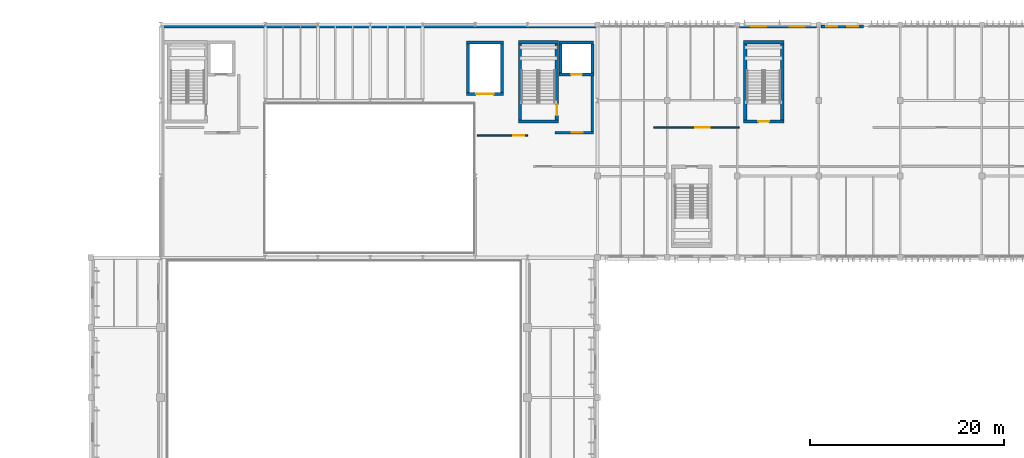
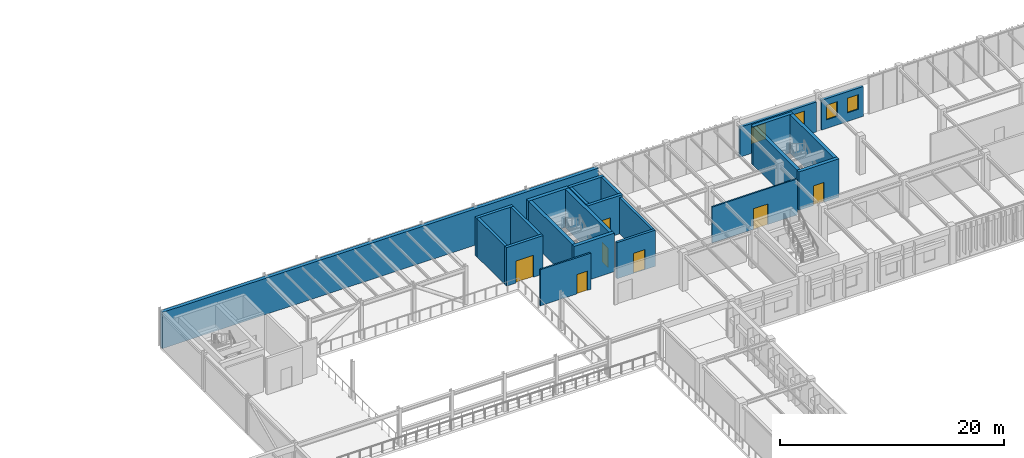
# One storey, part 45 of 104: 23 walls, 7 doors, 4 windows, 11 openings.
"""IFC4 building model written with IfcOpenShell, lengths in metres."""

from ifc_helpers import new_model, si_unit, direction, frame, frame_2d, origin, place, context, subcontext, project, spatial, rectangle, extrude, material, layer, layer_set, type_object, element, fill, save


model = new_model("IFC4")

# Units and contexts
model_context = context("Model", 3, precision=1e-05, world=origin(), true_north=direction((0.0, 1.0)))
body_context = subcontext(model_context, "Body", "Model", "MODEL_VIEW")
ifc_project = project(units=[si_unit("LENGTHUNIT", "METRE"), si_unit("AREAUNIT", "SQUARE_METRE"), si_unit("VOLUMEUNIT", "CUBIC_METRE"), si_unit("PLANEANGLEUNIT", "RADIAN"), si_unit("MASSUNIT", "GRAM", prefix="KILO")], contexts=[model_context])

# Site, building, storey
site_placement = place(None, origin())
site = spatial("IfcSite", under=ifc_project, at=site_placement, CompositionType="ELEMENT")
building_placement = place(site_placement, origin())
building = spatial("IfcBuilding", under=site, at=building_placement, Name="Tazoul Stagehouse", CompositionType="ELEMENT")
storey_placement = place(building_placement, frame((0.0, 0.0, 9.0)))
storey = spatial("IfcBuildingStorey", under=building, at=storey_placement, Name="L02", CompositionType="ELEMENT", Elevation=9.0)

# Walls
ifc_material_1 = material(Name="Ochre Fired Clay Facing Brick Masonry", Category="masonry")
ifc_layer_1 = layer(ifc_material_1, 0.360107421875, Name="Ochre Fired Clay Facing Brick Masonry")
ifc_layer_set_1 = layer_set([ifc_layer_1], Name="Ochre Fired Clay Facing Brick Masonry")
wall_type_1 = type_object("IfcWallType", Name="Acoustic Stagehouse Masonry-Concrete Cavity Wall 360", PredefinedType="SOLIDWALL", material=ifc_layer_set_1)
wall_1_placement = place(storey_placement, frame((57.60009765625, 111.6201171875, 0.0), z_axis=(0.0, 0.0, 1.0), x_axis=(1.0, 0.0, 0.0)))
element("IfcWall", 1, at=wall_1_placement, inside=storey, type_object=wall_type_1, Name="L02 Wall EW-360 (WALL-V2-N-L02-S1)", PredefinedType="SOLIDWALL", context=body_context, shape_type="SweptSolid", body=[
    extrude(rectangle(XDim=45.0, YDim=0.360107421875, at=frame_2d((22.5, 0.0))), origin(), (0.0, 0.0, 1.0), 3.9599609375),
])
ifc_material_2 = material(Name="Concrete C40/50", Category="concrete")
ifc_layer_2 = layer(ifc_material_2, 0.35009765625, Name="Concrete C40/50")
ifc_layer_set_2 = layer_set([ifc_layer_2], Name="Concrete C40/50")
wall_type_2 = type_object("IfcWallType", Name="Core Shear Wall 350", PredefinedType="SOLIDWALL", material=ifc_layer_set_2)
wall_2_placement = place(storey_placement, frame((98.60009765625, 101.824951171875, 0.0), z_axis=(0.0, 0.0, 1.0), x_axis=(-1.0, 0.0, 0.0)))
element("IfcWall", 2, at=wall_2_placement, inside=storey, type_object=wall_type_2, Name="L02 Core Wall CW-350 (SHF-ST-01-south)", PredefinedType="SOLIDWALL", context=body_context, shape_type="SweptSolid", body=[
    extrude(rectangle(XDim=4.150146484375, YDim=0.35009765625, at=frame_2d((2.0751953125, 0.0))), origin(), (0.0, 0.0, 1.0), 4.199951171875),
])
wall_3_placement = place(storey_placement, frame((94.625, 102.0, 0.0), z_axis=(0.0, 0.0, 1.0), x_axis=(0.0, 1.0, 0.0)))
element("IfcWall", 3, at=wall_3_placement, inside=storey, type_object=wall_type_2, Name="L02 Core Wall CW-350 (SHF-ST-01-west)", PredefinedType="SOLIDWALL", context=body_context, shape_type="SweptSolid", body=[
    extrude(rectangle(XDim=7.800048828125, YDim=0.35009765625, at=frame_2d((3.89990234375, 0.0))), origin(), (0.0, 0.0, 1.0), 4.199951171875),
])
wall_4_placement = place(storey_placement, frame((94.449951171875, 109.97509765625, 0.0), z_axis=(0.0, 0.0, 1.0), x_axis=(1.0, 0.0, 0.0)))
element("IfcWall", 4, at=wall_4_placement, inside=storey, type_object=wall_type_2, Name="L02 Core Wall CW-350 (SHF-ST-01-north)", PredefinedType="SOLIDWALL", context=body_context, shape_type="SweptSolid", body=[
    extrude(rectangle(XDim=4.150146484375, YDim=0.35009765625, at=frame_2d((2.0751953125, 0.0))), origin(), (0.0, 0.0, 1.0), 4.199951171875),
])

# Wall, opening, door
wall_5_placement = place(storey_placement, frame((98.425048828125, 109.800048828125, 0.0), z_axis=(0.0, 0.0, 1.0), x_axis=(0.0, -1.0, 0.0)))
wall_5 = element("IfcWall", 5, at=wall_5_placement, inside=storey, type_object=wall_type_2, Name="L02 Core Wall CW-350 (SHF-ST-01-east)", PredefinedType="SOLIDWALL", context=body_context, shape_type="SweptSolid", body=[
    extrude(rectangle(XDim=7.800048828125, YDim=0.35009765625, at=frame_2d((3.89990234375, 0.0))), origin(), (0.0, 0.0, 1.0), 4.199951171875),
])
opening_1_placement = place(wall_5_placement, frame((6.25, 0.0, 0.0)))
opening_1 = element("IfcOpeningElement", 6, at=opening_1_placement, cuts=wall_5, Name="Opening FD-01", PredefinedType="OPENING", context=body_context, shape_type="SweptSolid", body=[
    extrude(rectangle(XDim=1.10009765625, YDim=2.14990234375, at=frame_2d((0.550048828125, 1.074951171875))), frame((0.0, 0.195068359375, 0.0), z_axis=(0.0, -1.0, 0.0), x_axis=(1.0, 0.0, 0.0)), (0.0, 0.0, 1.0), 0.39013671875),
])
ifc_material_3 = material(Name="Powder-Coated Galvanised Acoustic Steel", Category="steel")
door_type_1 = type_object("IfcDoorType", Name="Core Escape Stair Fire Door 1100x2150", OperationType="NOTDEFINED", PredefinedType="DOOR", material=ifc_material_3)
door_1_placement = place(opening_1_placement, origin())
door_1 = element("IfcDoor", 7, at=door_1_placement, inside=storey, type_object=door_type_1, Name="L02 Escape Stair Fire Door FD-01 (ST-01)", OperationType="SINGLE_SWING_RIGHT", OverallHeight=2.14990234375, OverallWidth=1.10009765625, PredefinedType="DOOR", context=body_context, shape_type="SweptSolid", body=[
    extrude(rectangle(XDim=1.10009765625, YDim=2.14990234375, at=frame_2d((0.550048828125, 1.074951171875))), frame((0.0, 0.02490234375, 0.0), z_axis=(0.0, -1.0, 0.0), x_axis=(1.0, 0.0, 0.0)), (0.0, 0.0, 1.0), 0.050048828125),
])
fill(opening_1, door_1)

wall_6_placement = place(storey_placement, frame((121.800048828125, 101.824951171875, 0.0), z_axis=(0.0, 0.0, 1.0), x_axis=(-1.0, 0.0, 0.0)))
wall_6 = element("IfcWall", 8, at=wall_6_placement, inside=storey, type_object=wall_type_2, Name="L02 Core Wall CW-350 (SHF-ST-02-south)", PredefinedType="SOLIDWALL", context=body_context, shape_type="SweptSolid", body=[
    extrude(rectangle(XDim=4.150146484375, YDim=0.35009765625, at=frame_2d((2.0751953125, 0.0))), origin(), (0.0, 0.0, 1.0), 4.199951171875),
])
opening_2_placement = place(wall_6_placement, frame((1.52490234375, 0.0, 0.0)))
opening_2 = element("IfcOpeningElement", 9, at=opening_2_placement, cuts=wall_6, Name="Opening FD-01", PredefinedType="OPENING", context=body_context, shape_type="SweptSolid", body=[
    extrude(rectangle(XDim=1.10009765625, YDim=2.14990234375, at=frame_2d((0.550048828125, 1.074951171875))), frame((0.0, 0.195068359375, 0.0), z_axis=(0.0, -1.0, 0.0), x_axis=(1.0, 0.0, 0.0)), (0.0, 0.0, 1.0), 0.39013671875),
])
door_2_placement = place(opening_2_placement, origin())
door_2 = element("IfcDoor", 10, at=door_2_placement, inside=storey, type_object=door_type_1, Name="L02 Escape Stair Fire Door FD-01 (ST-02)", OperationType="SINGLE_SWING_LEFT", OverallHeight=2.14990234375, OverallWidth=1.10009765625, PredefinedType="DOOR", context=body_context, shape_type="SweptSolid", body=[
    extrude(rectangle(XDim=1.10009765625, YDim=2.14990234375, at=frame_2d((0.550048828125, 1.074951171875))), frame((0.0, 0.02490234375, 0.0), z_axis=(0.0, -1.0, 0.0), x_axis=(1.0, 0.0, 0.0)), (0.0, 0.0, 1.0), 0.050048828125),
])
fill(opening_2, door_2)

# Walls
wall_7_placement = place(storey_placement, frame((117.824951171875, 102.0, 0.0), z_axis=(0.0, 0.0, 1.0), x_axis=(0.0, 1.0, 0.0)))
element("IfcWall", 11, at=wall_7_placement, inside=storey, type_object=wall_type_2, Name="L02 Core Wall CW-350 (SHF-ST-02-west)", PredefinedType="SOLIDWALL", context=body_context, shape_type="SweptSolid", body=[
    extrude(rectangle(XDim=7.800048828125, YDim=0.35009765625, at=frame_2d((3.89990234375, 0.0))), origin(), (0.0, 0.0, 1.0), 4.199951171875),
])
wall_8_placement = place(storey_placement, frame((117.64990234375, 109.97509765625, 0.0), z_axis=(0.0, 0.0, 1.0), x_axis=(1.0, 0.0, 0.0)))
element("IfcWall", 12, at=wall_8_placement, inside=storey, type_object=wall_type_2, Name="L02 Core Wall CW-350 (SHF-ST-02-north)", PredefinedType="SOLIDWALL", context=body_context, shape_type="SweptSolid", body=[
    extrude(rectangle(XDim=4.150146484375, YDim=0.35009765625, at=frame_2d((2.0751953125, 0.0))), origin(), (0.0, 0.0, 1.0), 4.199951171875),
])
wall_9_placement = place(storey_placement, frame((121.625, 109.800048828125, 0.0), z_axis=(0.0, 0.0, 1.0), x_axis=(0.0, -1.0, 0.0)))
element("IfcWall", 13, at=wall_9_placement, inside=storey, type_object=wall_type_2, Name="L02 Core Wall CW-350 (SHF-ST-02-east)", PredefinedType="SOLIDWALL", context=body_context, shape_type="SweptSolid", body=[
    extrude(rectangle(XDim=7.800048828125, YDim=0.35009765625, at=frame_2d((3.89990234375, 0.0))), origin(), (0.0, 0.0, 1.0), 4.199951171875),
])

# Wall, opening, door
ifc_material_4 = material(Name="Gypsum Acoustic Partition", Category="gypsum")
ifc_layer_3 = layer(ifc_material_4, 0.169921875, Name="Gypsum Acoustic Partition")
ifc_layer_set_3 = layer_set([ifc_layer_3], Name="Gypsum Acoustic Partition")
wall_type_3 = type_object("IfcWallType", Name="Corridor Fire-Rated Partition 170", PredefinedType="PARTITIONING", material=ifc_layer_set_3)
wall_10_placement = place(storey_placement, frame((90.199951171875, 100.39990234375, 0.0), z_axis=(0.0, 0.0, 1.0), x_axis=(1.0, 0.0, 0.0)))
wall_10 = element("IfcWall", 14, at=wall_10_placement, inside=storey, type_object=wall_type_3, Name="L02 Partition PW-170 (PW-RM-L02-123-N)", PredefinedType="PARTITIONING", context=body_context, shape_type="SweptSolid", body=[
    extrude(rectangle(XDim=5.199951171875, YDim=0.169921875, at=frame_2d((2.60009765625, 0.0))), origin(), (0.0, 0.0, 1.0), 3.949951171875),
])
opening_3_placement = place(wall_10_placement, frame((3.75, 0.0, 0.0)))
opening_3 = element("IfcOpeningElement", 15, at=opening_3_placement, cuts=wall_10, Name="Opening ID-09", PredefinedType="OPENING", context=body_context, shape_type="SweptSolid", body=[
    extrude(rectangle(XDim=1.10009765625, YDim=2.10009765625, at=frame_2d((0.550048828125, 1.050048828125))), frame((0.0, 0.10498046875, 0.0), z_axis=(0.0, -1.0, 0.0), x_axis=(1.0, 0.0, 0.0)), (0.0, 0.0, 1.0), 0.2099609375),
])
ifc_material_5 = material(Name="Acoustic Cedar Timber", Category="wood")
door_type_2 = type_object("IfcDoorType", Name="Store Room Steel Door 1100x2100", OperationType="NOTDEFINED", PredefinedType="DOOR", material=ifc_material_5)
door_3_placement = place(opening_3_placement, origin())
door_3 = element("IfcDoor", 16, at=door_3_placement, inside=storey, type_object=door_type_2, Name="L02 Stage Right Counterweight and Rope Gallery Door", OperationType="SINGLE_SWING_LEFT", OverallHeight=2.10009765625, OverallWidth=1.10009765625, PredefinedType="DOOR", context=body_context, shape_type="SweptSolid", body=[
    extrude(rectangle(XDim=1.10009765625, YDim=2.10009765625, at=frame_2d((0.550048828125, 1.050048828125))), frame((0.0, 0.02490234375, 0.0), z_axis=(0.0, -1.0, 0.0), x_axis=(1.0, 0.0, 0.0)), (0.0, 0.0, 1.0), 0.050048828125),
])
fill(opening_3, door_3)

ifc_layer_4 = layer(ifc_material_4, 0.14990234375, Name="Gypsum Acoustic Partition")
ifc_layer_set_4 = layer_set([ifc_layer_4], Name="Gypsum Acoustic Partition")
wall_type_4 = type_object("IfcWallType", Name="Dressing Suite Acoustic Partition 150", PredefinedType="PARTITIONING", material=ifc_layer_set_4)
wall_11_placement = place(storey_placement, frame((117.199951171875, 101.199951171875, 0.0), z_axis=(0.0, 0.0, 1.0), x_axis=(-1.0, 0.0, 0.0)))
wall_11 = element("IfcWall", 17, at=wall_11_placement, inside=storey, type_object=wall_type_4, Name="L02 Partition PW-150 (PW-RM-L02-063-S)", PredefinedType="PARTITIONING", context=body_context, shape_type="SweptSolid", body=[
    extrude(rectangle(XDim=8.800048828125, YDim=0.14990234375, at=frame_2d((4.39990234375, 0.0))), origin(), (0.0, 0.0, 1.0), 3.929931640625),
])
opening_4_placement = place(wall_11_placement, frame((3.038818359375, 0.0, 0.0)))
opening_4 = element("IfcOpeningElement", 18, at=opening_4_placement, cuts=wall_11, Name="Opening ID-20", PredefinedType="OPENING", context=body_context, shape_type="SweptSolid", body=[
    extrude(rectangle(XDim=1.5, YDim=2.25, at=frame_2d((0.75, 1.125))), frame((0.0, 0.094970703125, 0.0), z_axis=(0.0, -1.0, 0.0), x_axis=(1.0, 0.0, 0.0)), (0.0, 0.0, 1.0), 0.18994140625),
])
door_type_3 = type_object("IfcDoorType", Name="Wardrobe Workshop Double Door 1500x2250", OperationType="DOUBLE_DOOR_SINGLE_SWING", PredefinedType="DOOR", material=ifc_material_5)
door_4_placement = place(opening_4_placement, origin())
door_4 = element("IfcDoor", 19, at=door_4_placement, inside=storey, type_object=door_type_3, Name="L02 Wig Millinery and Prosthetics Studio Door", OperationType="DOUBLE_DOOR_SINGLE_SWING", OverallHeight=2.25, OverallWidth=1.5, PredefinedType="DOOR", context=body_context, shape_type="SweptSolid", body=[
    extrude(rectangle(XDim=1.5, YDim=2.25, at=frame_2d((0.75, 1.125))), frame((0.0, 0.02490234375, 0.0), z_axis=(0.0, -1.0, 0.0), x_axis=(1.0, 0.0, 0.0)), (0.0, 0.0, 1.0), 0.050048828125),
])
fill(opening_4, door_4)

ifc_layer_5 = layer(ifc_material_2, 0.260009765625, Name="Concrete C40/50")
ifc_layer_set_5 = layer_set([ifc_layer_5], Name="Concrete C40/50")
wall_type_5 = type_object("IfcWallType", Name="Firefighting Lobby Wall 260", PredefinedType="SOLIDWALL", material=ifc_layer_set_5)
wall_12_placement = place(storey_placement, frame((102.2099609375, 100.669921875, 0.0), z_axis=(0.0, 0.0, 1.0), x_axis=(-1.0, 0.0, 0.0)))
wall_12 = element("IfcWall", 20, at=wall_12_placement, inside=storey, type_object=wall_type_5, Name="L02 Firefighting Lobby Wall CW-260 (C1-S)", PredefinedType="SOLIDWALL", context=body_context, shape_type="SweptSolid", body=[
    extrude(rectangle(XDim=3.9599609375, YDim=0.260009765625, at=frame_2d((1.97998046875, 0.0))), origin(), (0.0, 0.0, 1.0), 3.949951171875),
])
opening_5_placement = place(wall_12_placement, frame((1.10009765625, 0.0, 0.0)))
opening_5 = element("IfcOpeningElement", 21, at=opening_5_placement, cuts=wall_12, Name="Opening FD-02", PredefinedType="OPENING", context=body_context, shape_type="SweptSolid", body=[
    extrude(rectangle(XDim=1.14990234375, YDim=2.199951171875, at=frame_2d((0.574951171875, 1.10009765625))), frame((0.0, 0.14990234375, 0.0), z_axis=(0.0, -1.0, 0.0), x_axis=(1.0, 0.0, 0.0)), (0.0, 0.0, 1.0), 0.300048828125),
])
door_type_4 = type_object("IfcDoorType", Name="Firefighting Lobby Fire Door 1150x2200", OperationType="NOTDEFINED", PredefinedType="DOOR", material=ifc_material_3)
door_5_placement = place(opening_5_placement, origin())
door_5 = element("IfcDoor", 22, at=door_5_placement, inside=storey, type_object=door_type_4, Name="L02 Firefighting Lobby Door FD-02 (C1)", OperationType="SINGLE_SWING_LEFT", OverallHeight=2.199951171875, OverallWidth=1.14990234375, PredefinedType="DOOR", context=body_context, shape_type="SweptSolid", body=[
    extrude(rectangle(XDim=1.14990234375, YDim=2.199951171875, at=frame_2d((0.574951171875, 1.10009765625))), frame((0.0, 0.02490234375, 0.0), z_axis=(0.0, -1.0, 0.0), x_axis=(1.0, 0.0, 0.0)), (0.0, 0.0, 1.0), 0.050048828125),
])
fill(opening_5, door_5)

# Wall
wall_13_placement = place(storey_placement, frame((102.080078125, 106.64990234375, 0.0), z_axis=(0.0, 0.0, 1.0), x_axis=(0.0, -1.0, 0.0)))
element("IfcWall", 23, at=wall_13_placement, inside=storey, type_object=wall_type_5, Name="L02 Firefighting Lobby Wall CW-260 (C1-E)", PredefinedType="SOLIDWALL", context=body_context, shape_type="SweptSolid", body=[
    extrude(rectangle(XDim=5.849853515625, YDim=0.260009765625, at=frame_2d((2.9248046875, 0.0))), origin(), (0.0, 0.0, 1.0), 3.949951171875),
])

# Wall, openings, windows
ifc_material_6 = material(Name="Precast concrete C40/50", Category="concrete")
ifc_layer_6 = layer(ifc_material_6, 0.280029296875, Name="Precast concrete C40/50")
ifc_layer_set_6 = layer_set([ifc_layer_6], Name="Precast concrete C40/50")
wall_type_6 = type_object("IfcWallType", Name="Insulated Precast Acoustic Cladding Wall 280", PredefinedType="SOLIDWALL", material=ifc_layer_set_6)
wall_14_placement = place(storey_placement, frame((117.2548828125, 111.6201171875, 0.0), z_axis=(0.0, 0.0, 1.0), x_axis=(1.0, 0.0, 0.0)))
wall_14 = element("IfcWall", 24, at=wall_14_placement, inside=storey, type_object=wall_type_6, Name="L02 Wall EW-280 (WALL-V3-N2-L02-S1)", PredefinedType="SOLIDWALL", context=body_context, shape_type="SweptSolid", body=[
    extrude(rectangle(XDim=7.89013671875, YDim=0.280029296875, at=frame_2d((3.945068359375, 0.0))), origin(), (0.0, 0.0, 1.0), 3.262939453125),
])
opening_6_placement = place(wall_14_placement, frame((1.20751953125, 0.0, 0.949951171875)))
opening_6 = element("IfcOpeningElement", 25, at=opening_6_placement, cuts=wall_14, Name="Opening WN-54", PredefinedType="OPENING", context=body_context, shape_type="SweptSolid", body=[
    extrude(rectangle(XDim=1.530029296875, YDim=1.75, at=frame_2d((0.76513671875, 0.875))), frame((0.0, 0.159912109375, 0.0), z_axis=(0.0, -1.0, 0.0), x_axis=(1.0, 0.0, 0.0)), (0.0, 0.0, 1.0), 0.320068359375),
])
opening_7_placement = place(wall_14_placement, frame((5.152587890625, 0.0, 0.949951171875)))
opening_7 = element("IfcOpeningElement", 26, at=opening_7_placement, cuts=wall_14, Name="Opening WN-54", PredefinedType="OPENING", context=body_context, shape_type="SweptSolid", body=[
    extrude(rectangle(XDim=1.530029296875, YDim=1.75, at=frame_2d((0.76513671875, 0.875))), frame((0.0, 0.159912109375, 0.0), z_axis=(0.0, -1.0, 0.0), x_axis=(1.0, 0.0, 0.0)), (0.0, 0.0, 1.0), 0.320068359375),
])
ifc_material_7 = material(Name="Double Low-E Acoustic Laminated Glass", Category="glass")
window_type_1 = type_object("IfcWindowType", Name="Architectural Acoustic Facade Window 1530x1750", PartitioningType="SINGLE_PANEL", PredefinedType="WINDOW", material=ifc_material_7)
window_1_placement = place(opening_6_placement, origin())
window_1 = element("IfcWindow", 27, at=window_1_placement, inside=storey, type_object=window_type_1, Name="L02 Window WN-54 (WALL-V3-N2-L02-S1-W1)", OverallHeight=1.75, OverallWidth=1.530029296875, PartitioningType="SINGLE_PANEL", PredefinedType="WINDOW", context=body_context, shape_type="SweptSolid", body=[
    extrude(rectangle(XDim=1.530029296875, YDim=1.75, at=frame_2d((0.76513671875, 0.875))), frame((0.0, 0.030029296875, 0.0), z_axis=(0.0, -1.0, 0.0), x_axis=(1.0, 0.0, 0.0)), (0.0, 0.0, 1.0), 0.06005859375),
])
fill(opening_6, window_1)
window_2_placement = place(opening_7_placement, origin())
window_2 = element("IfcWindow", 28, at=window_2_placement, inside=storey, type_object=window_type_1, Name="L02 Window WN-54 (WALL-V3-N2-L02-S1-W2)", OverallHeight=1.75, OverallWidth=1.530029296875, PartitioningType="SINGLE_PANEL", PredefinedType="WINDOW", context=body_context, shape_type="SweptSolid", body=[
    extrude(rectangle(XDim=1.530029296875, YDim=1.75, at=frame_2d((0.76513671875, 0.875))), frame((0.0, 0.030029296875, 0.0), z_axis=(0.0, -1.0, 0.0), x_axis=(1.0, 0.0, 0.0)), (0.0, 0.0, 1.0), 0.06005859375),
])
fill(opening_7, window_2)

wall_15_placement = place(storey_placement, frame((125.655029296875, 111.6201171875, 0.0), z_axis=(0.0, 0.0, 1.0), x_axis=(1.0, 0.0, 0.0)))
wall_15 = element("IfcWall", 29, at=wall_15_placement, inside=storey, type_object=wall_type_6, Name="L02 Wall EW-280 (WALL-V3-N2-L02-S2)", PredefinedType="SOLIDWALL", context=body_context, shape_type="SweptSolid", body=[
    extrude(rectangle(XDim=4.344970703125, YDim=0.280029296875, at=frame_2d((2.17236328125, 0.0))), origin(), (0.0, 0.0, 1.0), 3.262939453125),
])
opening_8_placement = place(wall_15_placement, frame((0.53125, 0.0, 0.949951171875)))
opening_8 = element("IfcOpeningElement", 30, at=opening_8_placement, cuts=wall_15, Name="Opening WN-40", PredefinedType="OPENING", context=body_context, shape_type="SweptSolid", body=[
    extrude(rectangle(XDim=1.110107421875, YDim=1.60009765625, at=frame_2d((0.55517578125, 0.800048828125))), frame((0.0, 0.159912109375, 0.0), z_axis=(0.0, -1.0, 0.0), x_axis=(1.0, 0.0, 0.0)), (0.0, 0.0, 1.0), 0.320068359375),
])
opening_9_placement = place(wall_15_placement, frame((2.70361328125, 0.0, 0.949951171875)))
opening_9 = element("IfcOpeningElement", 31, at=opening_9_placement, cuts=wall_15, Name="Opening WN-40", PredefinedType="OPENING", context=body_context, shape_type="SweptSolid", body=[
    extrude(rectangle(XDim=1.110107421875, YDim=1.60009765625, at=frame_2d((0.55517578125, 0.800048828125))), frame((0.0, 0.159912109375, 0.0), z_axis=(0.0, -1.0, 0.0), x_axis=(1.0, 0.0, 0.0)), (0.0, 0.0, 1.0), 0.320068359375),
])
window_type_2 = type_object("IfcWindowType", Name="Architectural Acoustic Facade Window 1110x1600", PartitioningType="SINGLE_PANEL", PredefinedType="WINDOW", material=ifc_material_7)
window_3_placement = place(opening_8_placement, origin())
window_3 = element("IfcWindow", 32, at=window_3_placement, inside=storey, type_object=window_type_2, Name="L02 Window WN-40 (WALL-V3-N2-L02-S2-W1)", OverallHeight=1.60009765625, OverallWidth=1.110107421875, PartitioningType="SINGLE_PANEL", PredefinedType="WINDOW", context=body_context, shape_type="SweptSolid", body=[
    extrude(rectangle(XDim=1.110107421875, YDim=1.60009765625, at=frame_2d((0.55517578125, 0.800048828125))), frame((0.0, 0.030029296875, 0.0), z_axis=(0.0, -1.0, 0.0), x_axis=(1.0, 0.0, 0.0)), (0.0, 0.0, 1.0), 0.06005859375),
])
fill(opening_8, window_3)
window_4_placement = place(opening_9_placement, origin())
window_4 = element("IfcWindow", 33, at=window_4_placement, inside=storey, type_object=window_type_2, Name="L02 Window WN-40 (WALL-V3-N2-L02-S2-W2)", OverallHeight=1.60009765625, OverallWidth=1.110107421875, PartitioningType="SINGLE_PANEL", PredefinedType="WINDOW", context=body_context, shape_type="SweptSolid", body=[
    extrude(rectangle(XDim=1.110107421875, YDim=1.60009765625, at=frame_2d((0.55517578125, 0.800048828125))), frame((0.0, 0.030029296875, 0.0), z_axis=(0.0, -1.0, 0.0), x_axis=(1.0, 0.0, 0.0)), (0.0, 0.0, 1.0), 0.06005859375),
])
fill(opening_9, window_4)

# Wall, opening, door
ifc_layer_7 = layer(ifc_material_2, 0.300048828125, Name="Concrete C40/50")
ifc_layer_set_7 = layer_set([ifc_layer_7], Name="Concrete C40/50")
wall_type_7 = type_object("IfcWallType", Name="Lift Shaft Wall 300", PredefinedType="SOLIDWALL", material=ifc_layer_set_7)
wall_16_placement = place(storey_placement, frame((102.25, 106.64990234375, 0.0), z_axis=(0.0, 0.0, 1.0), x_axis=(-1.0, 0.0, 0.0)))
wall_16 = element("IfcWall", 34, at=wall_16_placement, inside=storey, type_object=wall_type_7, Name="L02 Core Wall CW-300 (LSHF-FFL-01-south)", PredefinedType="SOLIDWALL", context=body_context, shape_type="SweptSolid", body=[
    extrude(rectangle(XDim=3.60009765625, YDim=0.300048828125, at=frame_2d((1.800048828125, 0.0))), origin(), (0.0, 0.0, 1.0), 4.199951171875),
])
opening_10_placement = place(wall_16_placement, frame((1.25, 0.0, 0.0)))
opening_10 = element("IfcOpeningElement", 35, at=opening_10_placement, cuts=wall_16, Name="Opening LD-01", PredefinedType="OPENING", context=body_context, shape_type="SweptSolid", body=[
    extrude(rectangle(XDim=1.10009765625, YDim=2.10009765625, at=frame_2d((0.550048828125, 1.050048828125))), frame((0.0, 0.169921875, 0.0), z_axis=(0.0, -1.0, 0.0), x_axis=(1.0, 0.0, 0.0)), (0.0, 0.0, 1.0), 0.340087890625),
])
door_type_5 = type_object("IfcDoorType", Name="Firefighter Lift Sliding Landing Door 1100x2100", OperationType="DOUBLE_DOOR_SLIDING", PredefinedType="DOOR", material=ifc_material_3)
door_6_placement = place(opening_10_placement, origin())
door_6 = element("IfcDoor", 36, at=door_6_placement, inside=storey, type_object=door_type_5, Name="L02 Lift Landing Sliding Door LD-01 (FFL-01)", OperationType="DOUBLE_DOOR_SLIDING", OverallHeight=2.10009765625, OverallWidth=1.10009765625, PredefinedType="DOOR", context=body_context, shape_type="SweptSolid", body=[
    extrude(rectangle(XDim=1.10009765625, YDim=2.10009765625, at=frame_2d((0.550048828125, 1.050048828125))), frame((0.0, 0.02490234375, 0.0), z_axis=(0.0, -1.0, 0.0), x_axis=(1.0, 0.0, 0.0)), (0.0, 0.0, 1.0), 0.050048828125),
])
fill(opening_10, door_6)

# Walls
wall_17_placement = place(storey_placement, frame((98.800048828125, 106.800048828125, 0.0), z_axis=(0.0, 0.0, 1.0), x_axis=(0.0, 1.0, 0.0)))
element("IfcWall", 37, at=wall_17_placement, inside=storey, type_object=wall_type_7, Name="L02 Core Wall CW-300 (LSHF-FFL-01-west)", PredefinedType="SOLIDWALL", context=body_context, shape_type="SweptSolid", body=[
    extrude(rectangle(XDim=3.0, YDim=0.300048828125, at=frame_2d((1.5, 0.0))), origin(), (0.0, 0.0, 1.0), 4.199951171875),
])
wall_18_placement = place(storey_placement, frame((98.64990234375, 109.949951171875, 0.0), z_axis=(0.0, 0.0, 1.0), x_axis=(1.0, 0.0, 0.0)))
element("IfcWall", 38, at=wall_18_placement, inside=storey, type_object=wall_type_7, Name="L02 Core Wall CW-300 (LSHF-FFL-01-north)", PredefinedType="SOLIDWALL", context=body_context, shape_type="SweptSolid", body=[
    extrude(rectangle(XDim=3.570068359375, YDim=0.300048828125, at=frame_2d((1.78515625, 0.0))), origin(), (0.0, 0.0, 1.0), 4.199951171875),
])
wall_19_placement = place(storey_placement, frame((102.10009765625, 109.800048828125, 0.0), z_axis=(0.0, 0.0, 1.0), x_axis=(0.0, -1.0, 0.0)))
element("IfcWall", 39, at=wall_19_placement, inside=storey, type_object=wall_type_7, Name="L02 Core Wall CW-300 (LSHF-FFL-01-east)", PredefinedType="SOLIDWALL", context=body_context, shape_type="SweptSolid", body=[
    extrude(rectangle(XDim=3.0, YDim=0.300048828125, at=frame_2d((1.5, 0.0))), origin(), (0.0, 0.0, 1.0), 4.199951171875),
])

# Wall, opening, door
wall_20_placement = place(storey_placement, frame((92.89990234375, 104.64990234375, 0.0), z_axis=(0.0, 0.0, 1.0), x_axis=(-1.0, 0.0, 0.0)))
wall_20 = element("IfcWall", 40, at=wall_20_placement, inside=storey, type_object=wall_type_7, Name="L02 Core Wall CW-300 (LSHF-GL-01-south)", PredefinedType="SOLIDWALL", context=body_context, shape_type="SweptSolid", body=[
    extrude(rectangle(XDim=3.7998046875, YDim=0.300048828125, at=frame_2d((1.89990234375, 0.0))), origin(), (0.0, 0.0, 1.0), 4.199951171875),
])
opening_11_placement = place(wall_20_placement, frame((1.0, 0.0, 0.0)))
opening_11 = element("IfcOpeningElement", 41, at=opening_11_placement, cuts=wall_20, Name="Opening LD-07", PredefinedType="OPENING", context=body_context, shape_type="SweptSolid", body=[
    extrude(rectangle(XDim=1.800048828125, YDim=2.39990234375, at=frame_2d((0.89990234375, 1.199951171875))), frame((0.0, 0.169921875, 0.0), z_axis=(0.0, -1.0, 0.0), x_axis=(1.0, 0.0, 0.0)), (0.0, 0.0, 1.0), 0.340087890625),
])
door_type_6 = type_object("IfcDoorType", Name="Scenery Goods Lift Sliding Door 1800x2400", OperationType="DOUBLE_DOOR_SLIDING", PredefinedType="DOOR", material=ifc_material_3)
door_7_placement = place(opening_11_placement, origin())
door_7 = element("IfcDoor", 42, at=door_7_placement, inside=storey, type_object=door_type_6, Name="L02 Lift Landing Sliding Door LD-07 (GL-01)", OperationType="DOUBLE_DOOR_SLIDING", OverallHeight=2.39990234375, OverallWidth=1.800048828125, PredefinedType="DOOR", context=body_context, shape_type="SweptSolid", body=[
    extrude(rectangle(XDim=1.800048828125, YDim=2.39990234375, at=frame_2d((0.89990234375, 1.199951171875))), frame((0.0, 0.02490234375, 0.0), z_axis=(0.0, -1.0, 0.0), x_axis=(1.0, 0.0, 0.0)), (0.0, 0.0, 1.0), 0.050048828125),
])
fill(opening_11, door_7)

# Walls
wall_21_placement = place(storey_placement, frame((89.25, 104.800048828125, 0.0), z_axis=(0.0, 0.0, 1.0), x_axis=(0.0, 1.0, 0.0)))
element("IfcWall", 43, at=wall_21_placement, inside=storey, type_object=wall_type_7, Name="L02 Core Wall CW-300 (LSHF-GL-01-west)", PredefinedType="SOLIDWALL", context=body_context, shape_type="SweptSolid", body=[
    extrude(rectangle(XDim=5.0, YDim=0.300048828125, at=frame_2d((2.5, 0.0))), origin(), (0.0, 0.0, 1.0), 4.199951171875),
])
wall_22_placement = place(storey_placement, frame((89.10009765625, 109.949951171875, 0.0), z_axis=(0.0, 0.0, 1.0), x_axis=(1.0, 0.0, 0.0)))
element("IfcWall", 44, at=wall_22_placement, inside=storey, type_object=wall_type_7, Name="L02 Core Wall CW-300 (LSHF-GL-01-north)", PredefinedType="SOLIDWALL", context=body_context, shape_type="SweptSolid", body=[
    extrude(rectangle(XDim=3.7998046875, YDim=0.300048828125, at=frame_2d((1.89990234375, 0.0))), origin(), (0.0, 0.0, 1.0), 4.199951171875),
])
wall_23_placement = place(storey_placement, frame((92.75, 109.800048828125, 0.0), z_axis=(0.0, 0.0, 1.0), x_axis=(0.0, -1.0, 0.0)))
element("IfcWall", 45, at=wall_23_placement, inside=storey, type_object=wall_type_7, Name="L02 Core Wall CW-300 (LSHF-GL-01-east)", PredefinedType="SOLIDWALL", context=body_context, shape_type="SweptSolid", body=[
    extrude(rectangle(XDim=5.0, YDim=0.300048828125, at=frame_2d((2.5, 0.0))), origin(), (0.0, 0.0, 1.0), 4.199951171875),
])

save(model, "model.ifc")
